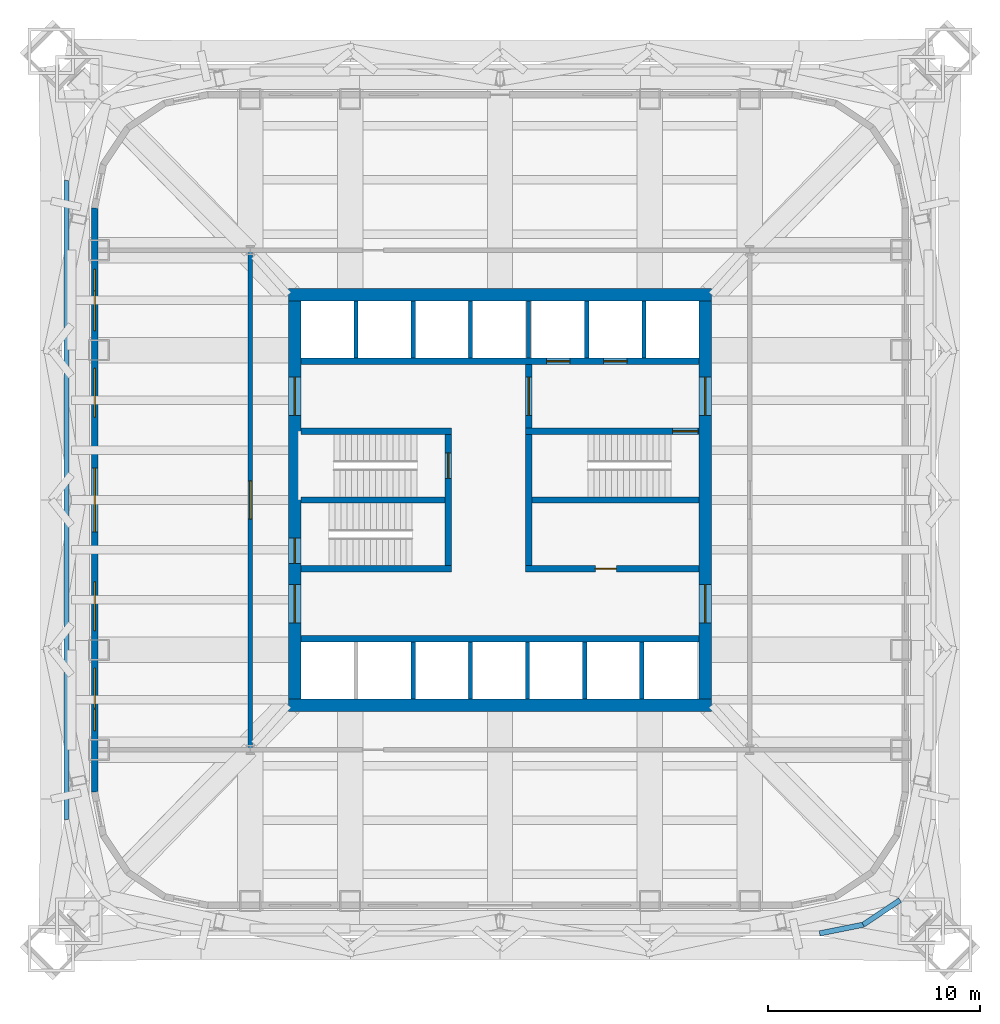
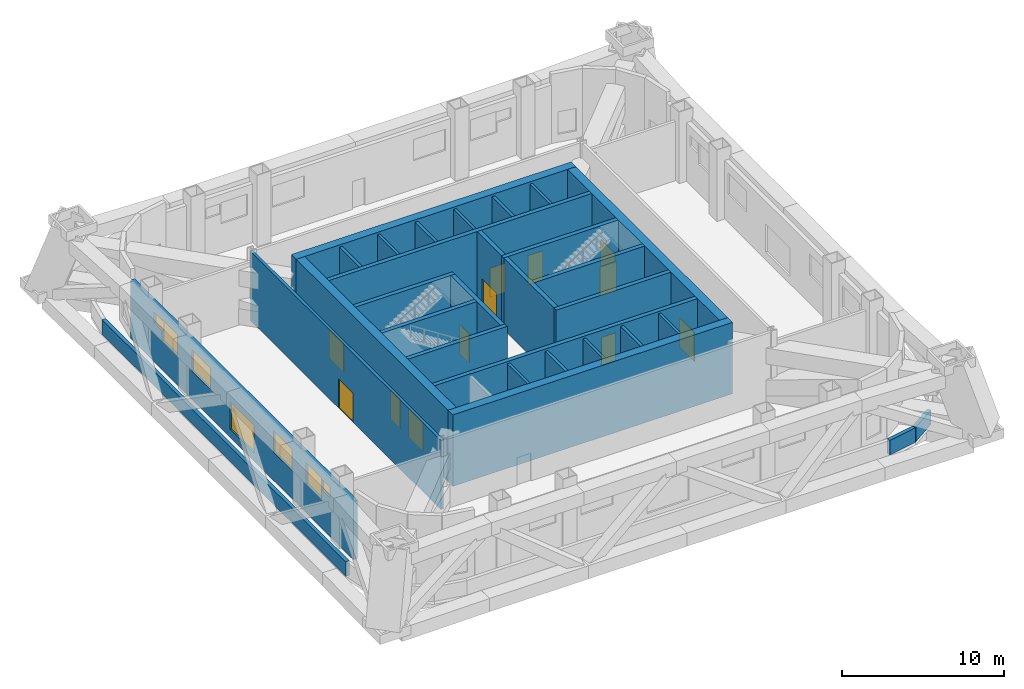
# One storey, part 5 of 9: 30 walls, 12 doors, 7 windows, 19 openings.
"""IFC4 building model written with IfcOpenShell, lengths in metres."""

from ifc_helpers import new_model, si_unit, direction, frame, frame_2d, origin, place, context, subcontext, project, spatial, rectangle, extrude, material, layer, layer_set, type_object, element, fill, save


model = new_model("IFC4")

# Units and contexts
model_context = context("Model", 3, precision=1e-05, world=origin(), true_north=direction((0.0, 1.0)))
body_context = subcontext(model_context, "Body", "Model", "MODEL_VIEW")
ifc_project = project(units=[si_unit("LENGTHUNIT", "METRE"), si_unit("AREAUNIT", "SQUARE_METRE"), si_unit("VOLUMEUNIT", "CUBIC_METRE"), si_unit("PLANEANGLEUNIT", "RADIAN"), si_unit("MASSUNIT", "GRAM", prefix="KILO")], contexts=[model_context])

# Site, building, storey
site_placement = place(None, origin())
site = spatial("IfcSite", under=ifc_project, at=site_placement, CompositionType="ELEMENT")
building_placement = place(site_placement, origin())
building = spatial("IfcBuilding", under=site, at=building_placement, Name="Turquesa Mirador Hotel Tower", CompositionType="ELEMENT")
storey_placement = place(building_placement, frame((0.0, 0.0, 156.39990234375)))
storey = spatial("IfcBuildingStorey", under=building, at=storey_placement, Name="L42", CompositionType="ELEMENT", Elevation=156.39990234375)

# Wall, openings, doors
ifc_material_1 = material(Name="Concrete C50/60", Category="concrete")
ifc_layer_1 = layer(ifc_material_1, 0.300048828125)
ifc_layer_set_1 = layer_set([ifc_layer_1], Name="CORE INNER WALL 300")
wall_type_1 = type_object("IfcWallType", Name="CORE INNER WALL 300", PredefinedType="SHEAR", material=ifc_layer_set_1)
wall_1_placement = place(storey_placement, frame((45.60009765625, 51.550048828125, 0.0), z_axis=(0.0, 0.0, 1.0), x_axis=(1.0, 0.0, 0.0)))
wall_1 = element("IfcWall", 1, at=wall_1_placement, inside=storey, type_object=wall_type_1, Name="Core wall NL", PredefinedType="SHEAR", context=body_context, shape_type="SweptSolid", body=[
    extrude(rectangle(XDim=18.7998046875, YDim=0.300048828125, at=frame_2d((9.39990234375, 0.0))), origin(), (0.0, 0.0, 1.0), 5.400146484375),
])
opening_1_placement = place(wall_1_placement, frame((11.60009765625, 0.0, 0.0)))
opening_1 = element("IfcOpeningElement", 2, at=opening_1_placement, cuts=wall_1, Name="Opening LD", PredefinedType="OPENING", context=body_context, shape_type="SweptSolid", body=[
    extrude(rectangle(XDim=1.10009765625, YDim=2.199951171875, at=frame_2d((0.550048828125, 1.10009765625))), frame((0.0, 0.159912109375, 0.0), z_axis=(0.0, -1.0, 0.0), x_axis=(1.0, 0.0, 0.0)), (0.0, 0.0, 1.0), 0.320068359375),
])
opening_2_placement = place(wall_1_placement, frame((14.300048828125, 0.0, 0.0)))
opening_2 = element("IfcOpeningElement", 3, at=opening_2_placement, cuts=wall_1, Name="Opening LD", PredefinedType="OPENING", context=body_context, shape_type="SweptSolid", body=[
    extrude(rectangle(XDim=1.10009765625, YDim=2.199951171875, at=frame_2d((0.550048828125, 1.10009765625))), frame((0.0, 0.159912109375, 0.0), z_axis=(0.0, -1.0, 0.0), x_axis=(1.0, 0.0, 0.0)), (0.0, 0.0, 1.0), 0.320068359375),
])
ifc_material_2 = material(Name="Stainless steel lift landing door", Category="steel")
door_type_1 = type_object("IfcDoorType", Name="LIFT LANDING DOOR 1100X2200", OperationType="SLIDING_TO_LEFT", PredefinedType="DOOR", material=ifc_material_2)
door_1_placement = place(opening_1_placement, origin())
door_1 = element("IfcDoor", 4, at=door_1_placement, inside=storey, type_object=door_type_1, Name="Lift S1 landing door", OperationType="SLIDING_TO_LEFT", OverallHeight=2.199951171875, OverallWidth=1.10009765625, PredefinedType="DOOR", context=body_context, shape_type="SweptSolid", body=[
    extrude(rectangle(XDim=1.10009765625, YDim=2.199951171875, at=frame_2d((0.550048828125, 1.10009765625))), frame((0.0, 0.02490234375, 0.0), z_axis=(0.0, -1.0, 0.0), x_axis=(1.0, 0.0, 0.0)), (0.0, 0.0, 1.0), 0.050048828125),
])
fill(opening_1, door_1)
door_2_placement = place(opening_2_placement, origin())
door_2 = element("IfcDoor", 5, at=door_2_placement, inside=storey, type_object=door_type_1, Name="Lift S2 landing door", OperationType="SLIDING_TO_LEFT", OverallHeight=2.199951171875, OverallWidth=1.10009765625, PredefinedType="DOOR", context=body_context, shape_type="SweptSolid", body=[
    extrude(rectangle(XDim=1.10009765625, YDim=2.199951171875, at=frame_2d((0.550048828125, 1.10009765625))), frame((0.0, 0.02490234375, 0.0), z_axis=(0.0, -1.0, 0.0), x_axis=(1.0, 0.0, 0.0)), (0.0, 0.0, 1.0), 0.050048828125),
])
fill(opening_2, door_2)

# Walls
wall_2_placement = place(storey_placement, frame((45.60009765625, 38.449951171875, 0.0), z_axis=(0.0, 0.0, 1.0), x_axis=(1.0, 0.0, 0.0)))
element("IfcWall", 6, at=wall_2_placement, inside=storey, type_object=wall_type_1, Name="Core wall SL", PredefinedType="SHEAR", context=body_context, shape_type="SweptSolid", body=[
    extrude(rectangle(XDim=18.7998046875, YDim=0.300048828125, at=frame_2d((9.39990234375, 0.0))), origin(), (0.0, 0.0, 1.0), 5.400146484375),
])
wall_3_placement = place(storey_placement, frame((45.60009765625, 48.25, 0.0), z_axis=(0.0, 0.0, 1.0), x_axis=(1.0, 0.0, 0.0)))
element("IfcWall", 7, at=wall_3_placement, inside=storey, type_object=wall_type_1, Name="Core wall MN-W", PredefinedType="SHEAR", context=body_context, shape_type="SweptSolid", body=[
    extrude(rectangle(XDim=7.099853515625, YDim=0.300048828125, at=frame_2d((3.5498046875, 0.0))), origin(), (0.0, 0.0, 1.0), 5.400146484375),
])

# Wall, opening, door
wall_4_placement = place(storey_placement, frame((56.199951171875, 48.25, 0.0), z_axis=(0.0, 0.0, 1.0), x_axis=(1.0, 0.0, 0.0)))
wall_4 = element("IfcWall", 8, at=wall_4_placement, inside=storey, type_object=wall_type_1, Name="Core wall MN-E", PredefinedType="SHEAR", context=body_context, shape_type="SweptSolid", body=[
    extrude(rectangle(XDim=8.199951171875, YDim=0.300048828125, at=frame_2d((4.10009765625, 0.0))), origin(), (0.0, 0.0, 1.0), 5.400146484375),
])
opening_3_placement = place(wall_4_placement, frame((6.949951171875, 0.0, 0.0)))
opening_3 = element("IfcOpeningElement", 9, at=opening_3_placement, cuts=wall_4, Name="Opening D03", PredefinedType="OPENING", context=body_context, shape_type="SweptSolid", body=[
    extrude(rectangle(XDim=1.199951171875, YDim=2.199951171875, at=frame_2d((0.60009765625, 1.10009765625))), frame((0.0, 0.159912109375, 0.0), z_axis=(0.0, -1.0, 0.0), x_axis=(1.0, 0.0, 0.0)), (0.0, 0.0, 1.0), 0.320068359375),
])
ifc_material_3 = material(Name="Steel fire door", Category="steel")
door_type_2 = type_object("IfcDoorType", Name="DOOR 1200X2200 STAIR", OperationType="SINGLE_SWING_LEFT", PredefinedType="DOOR", material=ifc_material_3)
door_3_placement = place(opening_3_placement, origin())
door_3 = element("IfcDoor", 10, at=door_3_placement, inside=storey, type_object=door_type_2, Name="Stair ST3 door", OperationType="SINGLE_SWING_LEFT", OverallHeight=2.199951171875, OverallWidth=1.199951171875, PredefinedType="DOOR", context=body_context, shape_type="SweptSolid", body=[
    extrude(rectangle(XDim=1.199951171875, YDim=2.199951171875, at=frame_2d((0.60009765625, 1.10009765625))), frame((0.0, 0.02490234375, 0.0), z_axis=(0.0, -1.0, 0.0), x_axis=(1.0, 0.0, 0.0)), (0.0, 0.0, 1.0), 0.050048828125),
])
fill(opening_3, door_3)

# Wall
wall_5_placement = place(storey_placement, frame((45.60009765625, 41.75, 0.0), z_axis=(0.0, 0.0, 1.0), x_axis=(1.0, 0.0, 0.0)))
element("IfcWall", 11, at=wall_5_placement, inside=storey, type_object=wall_type_1, Name="Core wall MS-W", PredefinedType="SHEAR", context=body_context, shape_type="SweptSolid", body=[
    extrude(rectangle(XDim=7.099853515625, YDim=0.300048828125, at=frame_2d((3.5498046875, 0.0))), origin(), (0.0, 0.0, 1.0), 5.400146484375),
])

# Wall, opening, door
wall_6_placement = place(storey_placement, frame((56.199951171875, 41.75, 0.0), z_axis=(0.0, 0.0, 1.0), x_axis=(1.0, 0.0, 0.0)))
wall_6 = element("IfcWall", 12, at=wall_6_placement, inside=storey, type_object=wall_type_1, Name="Core wall MS-E", PredefinedType="SHEAR", context=body_context, shape_type="SweptSolid", body=[
    extrude(rectangle(XDim=8.199951171875, YDim=0.300048828125, at=frame_2d((4.10009765625, 0.0))), origin(), (0.0, 0.0, 1.0), 5.400146484375),
])
opening_4_placement = place(wall_6_placement, frame((3.300048828125, 0.0, 0.0)))
opening_4 = element("IfcOpeningElement", 13, at=opening_4_placement, cuts=wall_6, Name="Opening D05", PredefinedType="OPENING", context=body_context, shape_type="SweptSolid", body=[
    extrude(rectangle(XDim=1.0, YDim=2.10009765625, at=frame_2d((0.5, 1.050048828125))), frame((0.0, 0.159912109375, 0.0), z_axis=(0.0, -1.0, 0.0), x_axis=(1.0, 0.0, 0.0)), (0.0, 0.0, 1.0), 0.320068359375),
])
ifc_material_4 = material(Name="Steel fire door", Category="steel")
door_type_3 = type_object("IfcDoorType", Name="DOOR 1000X2100 SERVICE", OperationType="SINGLE_SWING_LEFT", PredefinedType="DOOR", material=ifc_material_4)
door_4_placement = place(opening_4_placement, origin())
door_4 = element("IfcDoor", 14, at=door_4_placement, inside=storey, type_object=door_type_3, Name="Housekeeping room door", OperationType="SINGLE_SWING_LEFT", OverallHeight=2.10009765625, OverallWidth=1.0, PredefinedType="DOOR", context=body_context, shape_type="SweptSolid", body=[
    extrude(rectangle(XDim=1.0, YDim=2.10009765625, at=frame_2d((0.5, 1.050048828125))), frame((0.0, 0.02490234375, 0.0), z_axis=(0.0, -1.0, 0.0), x_axis=(1.0, 0.0, 0.0)), (0.0, 0.0, 1.0), 0.050048828125),
])
fill(opening_4, door_4)

wall_7_placement = place(storey_placement, frame((52.550048828125, 41.89990234375, 0.0), z_axis=(0.0, 0.0, 1.0), x_axis=(0.0, 1.0, 0.0)))
wall_7 = element("IfcWall", 15, at=wall_7_placement, inside=storey, type_object=wall_type_1, Name="Core wall PW", PredefinedType="SHEAR", context=body_context, shape_type="SweptSolid", body=[
    extrude(rectangle(XDim=6.2001953125, YDim=0.300048828125, at=frame_2d((3.10009765625, 0.0))), origin(), (0.0, 0.0, 1.0), 5.400146484375),
])
opening_5_placement = place(wall_7_placement, frame((4.125, 0.0, 0.0)))
opening_5 = element("IfcOpeningElement", 16, at=opening_5_placement, cuts=wall_7, Name="Opening D03", PredefinedType="OPENING", context=body_context, shape_type="SweptSolid", body=[
    extrude(rectangle(XDim=1.199951171875, YDim=2.199951171875, at=frame_2d((0.60009765625, 1.10009765625))), frame((0.0, 0.159912109375, 0.0), z_axis=(0.0, -1.0, 0.0), x_axis=(1.0, 0.0, 0.0)), (0.0, 0.0, 1.0), 0.320068359375),
])
door_5_placement = place(opening_5_placement, origin())
door_5 = element("IfcDoor", 17, at=door_5_placement, inside=storey, type_object=door_type_2, Name="Stair ST1 door", OperationType="SINGLE_SWING_LEFT", OverallHeight=2.199951171875, OverallWidth=1.199951171875, PredefinedType="DOOR", context=body_context, shape_type="SweptSolid", body=[
    extrude(rectangle(XDim=1.199951171875, YDim=2.199951171875, at=frame_2d((0.60009765625, 1.10009765625))), frame((0.0, 0.02490234375, 0.0), z_axis=(0.0, -1.0, 0.0), x_axis=(1.0, 0.0, 0.0)), (0.0, 0.0, 1.0), 0.050048828125),
])
fill(opening_5, door_5)

wall_8_placement = place(storey_placement, frame((56.35009765625, 41.89990234375, 0.0), z_axis=(0.0, 0.0, 1.0), x_axis=(0.0, 1.0, 0.0)))
wall_8 = element("IfcWall", 18, at=wall_8_placement, inside=storey, type_object=wall_type_1, Name="Core wall PE", PredefinedType="SHEAR", context=body_context, shape_type="SweptSolid", body=[
    extrude(rectangle(XDim=9.5, YDim=0.300048828125, at=frame_2d((4.75, 0.0))), origin(), (0.0, 0.0, 1.0), 5.400146484375),
])
opening_6_placement = place(wall_8_placement, frame((7.10009765625, 0.0, 0.0)))
opening_6 = element("IfcOpeningElement", 19, at=opening_6_placement, cuts=wall_8, Name="Opening D04", PredefinedType="OPENING", context=body_context, shape_type="SweptSolid", body=[
    extrude(rectangle(XDim=1.800048828125, YDim=2.199951171875, at=frame_2d((0.89990234375, 1.10009765625))), frame((0.0, 0.159912109375, 0.0), z_axis=(0.0, -1.0, 0.0), x_axis=(1.0, 0.0, 0.0)), (0.0, 0.0, 1.0), 0.320068359375),
])
ifc_material_5 = material(Name="Steel fire door pair", Category="steel")
door_type_4 = type_object("IfcDoorType", Name="DOOR 1800X2200 PAIR", OperationType="DOUBLE_DOOR_SINGLE_SWING", PredefinedType="DOOR", material=ifc_material_5)
door_6_placement = place(opening_6_placement, origin())
door_6 = element("IfcDoor", 20, at=door_6_placement, inside=storey, type_object=door_type_4, Name="Firefighting lobby inner door", OperationType="DOUBLE_DOOR_SINGLE_SWING", OverallHeight=2.199951171875, OverallWidth=1.800048828125, PredefinedType="DOOR", context=body_context, shape_type="SweptSolid", body=[
    extrude(rectangle(XDim=1.800048828125, YDim=2.199951171875, at=frame_2d((0.89990234375, 1.10009765625))), frame((0.0, 0.02490234375, 0.0), z_axis=(0.0, -1.0, 0.0), x_axis=(1.0, 0.0, 0.0)), (0.0, 0.0, 1.0), 0.050048828125),
])
fill(opening_6, door_6)

# Walls
wall_9_placement = place(storey_placement, frame((45.60009765625, 45.0, 0.0), z_axis=(0.0, 0.0, 1.0), x_axis=(1.0, 0.0, 0.0)))
element("IfcWall", 21, at=wall_9_placement, inside=storey, type_object=wall_type_1, Name="Core wall M0-W", PredefinedType="SHEAR", context=body_context, shape_type="SweptSolid", body=[
    extrude(rectangle(XDim=6.7998046875, YDim=0.300048828125, at=frame_2d((3.39990234375, 0.0))), origin(), (0.0, 0.0, 1.0), 5.400146484375),
])
wall_10_placement = place(storey_placement, frame((56.5, 45.0, 0.0), z_axis=(0.0, 0.0, 1.0), x_axis=(1.0, 0.0, 0.0)))
element("IfcWall", 22, at=wall_10_placement, inside=storey, type_object=wall_type_1, Name="Core wall M0-E", PredefinedType="SHEAR", context=body_context, shape_type="SweptSolid", body=[
    extrude(rectangle(XDim=7.89990234375, YDim=0.300048828125, at=frame_2d((3.949951171875, 0.0))), origin(), (0.0, 0.0, 1.0), 5.400146484375),
])
ifc_material_6 = material(Name="Concrete C50/60", Category="concrete")
ifc_layer_2 = layer(ifc_material_6, 0.60009765625)
ifc_layer_set_2 = layer_set([ifc_layer_2], Name="CORE WALL 600")
wall_type_2 = type_object("IfcWallType", Name="CORE WALL 600", PredefinedType="SHEAR", material=ifc_layer_set_2)
for number, where, z_axis, x_axis, name in (
    (23, (45.0, 54.699951171875, 0.0), (0.0, 0.0, 1.0), (1.0, 0.0, 0.0), "Core wall N"),
    (24, (45.0, 35.300048828125, 0.0), (0.0, 0.0, 1.0), (1.0, 0.0, 0.0), "Core wall S"),
):
    element("IfcWall", number, at=place(storey_placement, frame(where, z_axis=z_axis, x_axis=x_axis)), inside=storey, type_object=wall_type_2, Name=name, PredefinedType="SHEAR", context=body_context, shape_type="SweptSolid", body=[
        extrude(rectangle(XDim=20.0, YDim=0.60009765625, at=frame_2d((10.0, 0.0))), origin(), (0.0, 0.0, 1.0), 5.400146484375),
    ])

# Wall, openings, doors
wall_11_placement = place(storey_placement, frame((64.699951171875, 35.60009765625, 0.0), z_axis=(0.0, 0.0, 1.0), x_axis=(0.0, 1.0, 0.0)))
wall_11 = element("IfcWall", 25, at=wall_11_placement, inside=storey, type_object=wall_type_2, Name="Core wall E", PredefinedType="SHEAR", context=body_context, shape_type="SweptSolid", body=[
    extrude(rectangle(XDim=18.7998046875, YDim=0.60009765625, at=frame_2d((9.39990234375, 0.0))), origin(), (0.0, 0.0, 1.0), 5.400146484375),
])
opening_7_placement = place(wall_11_placement, frame((13.39990234375, 0.0, 0.0)))
opening_7 = element("IfcOpeningElement", 26, at=opening_7_placement, cuts=wall_11, Name="Opening D04", PredefinedType="OPENING", context=body_context, shape_type="SweptSolid", body=[
    extrude(rectangle(XDim=1.800048828125, YDim=2.199951171875, at=frame_2d((0.89990234375, 1.10009765625))), frame((0.0, 0.31005859375, 0.0), z_axis=(0.0, -1.0, 0.0), x_axis=(1.0, 0.0, 0.0)), (0.0, 0.0, 1.0), 0.6201171875),
])
opening_8_placement = place(wall_11_placement, frame((3.60009765625, 0.0, 0.0)))
opening_8 = element("IfcOpeningElement", 27, at=opening_8_placement, cuts=wall_11, Name="Opening D04", PredefinedType="OPENING", context=body_context, shape_type="SweptSolid", body=[
    extrude(rectangle(XDim=1.800048828125, YDim=2.199951171875, at=frame_2d((0.89990234375, 1.10009765625))), frame((0.0, 0.31005859375, 0.0), z_axis=(0.0, -1.0, 0.0), x_axis=(1.0, 0.0, 0.0)), (0.0, 0.0, 1.0), 0.6201171875),
])
door_7_placement = place(opening_7_placement, origin())
door_7 = element("IfcDoor", 28, at=door_7_placement, inside=storey, type_object=door_type_4, Name="Firefighting lobby door", OperationType="DOUBLE_DOOR_SINGLE_SWING", OverallHeight=2.199951171875, OverallWidth=1.800048828125, PredefinedType="DOOR", context=body_context, shape_type="SweptSolid", body=[
    extrude(rectangle(XDim=1.800048828125, YDim=2.199951171875, at=frame_2d((0.89990234375, 1.10009765625))), frame((0.0, 0.02490234375, 0.0), z_axis=(0.0, -1.0, 0.0), x_axis=(1.0, 0.0, 0.0)), (0.0, 0.0, 1.0), 0.050048828125),
])
fill(opening_7, door_7)
door_8_placement = place(opening_8_placement, origin())
door_8 = element("IfcDoor", 29, at=door_8_placement, inside=storey, type_object=door_type_4, Name="South lift lobby door", OperationType="DOUBLE_DOOR_SINGLE_SWING", OverallHeight=2.199951171875, OverallWidth=1.800048828125, PredefinedType="DOOR", context=body_context, shape_type="SweptSolid", body=[
    extrude(rectangle(XDim=1.800048828125, YDim=2.199951171875, at=frame_2d((0.89990234375, 1.10009765625))), frame((0.0, 0.02490234375, 0.0), z_axis=(0.0, -1.0, 0.0), x_axis=(1.0, 0.0, 0.0)), (0.0, 0.0, 1.0), 0.050048828125),
])
fill(opening_8, door_8)

wall_12_placement = place(storey_placement, frame((45.300048828125, 35.60009765625, 0.0), z_axis=(0.0, 0.0, 1.0), x_axis=(0.0, 1.0, 0.0)))
wall_12 = element("IfcWall", 30, at=wall_12_placement, inside=storey, type_object=wall_type_2, Name="Core wall W", PredefinedType="SHEAR", context=body_context, shape_type="SweptSolid", body=[
    extrude(rectangle(XDim=18.7998046875, YDim=0.60009765625, at=frame_2d((9.39990234375, 0.0))), origin(), (0.0, 0.0, 1.0), 5.400146484375),
])
opening_9_placement = place(wall_12_placement, frame((13.39990234375, 0.0, 0.0)))
opening_9 = element("IfcOpeningElement", 31, at=opening_9_placement, cuts=wall_12, Name="Opening D04", PredefinedType="OPENING", context=body_context, shape_type="SweptSolid", body=[
    extrude(rectangle(XDim=1.800048828125, YDim=2.199951171875, at=frame_2d((0.89990234375, 1.10009765625))), frame((0.0, 0.31005859375, 0.0), z_axis=(0.0, -1.0, 0.0), x_axis=(1.0, 0.0, 0.0)), (0.0, 0.0, 1.0), 0.6201171875),
])
opening_10_placement = place(wall_12_placement, frame((3.60009765625, 0.0, 0.0)))
opening_10 = element("IfcOpeningElement", 32, at=opening_10_placement, cuts=wall_12, Name="Opening D04", PredefinedType="OPENING", context=body_context, shape_type="SweptSolid", body=[
    extrude(rectangle(XDim=1.800048828125, YDim=2.199951171875, at=frame_2d((0.89990234375, 1.10009765625))), frame((0.0, 0.31005859375, 0.0), z_axis=(0.0, -1.0, 0.0), x_axis=(1.0, 0.0, 0.0)), (0.0, 0.0, 1.0), 0.6201171875),
])
opening_11_placement = place(wall_12_placement, frame((6.39990234375, 0.0, 0.0)))
opening_11 = element("IfcOpeningElement", 33, at=opening_11_placement, cuts=wall_12, Name="Opening D03", PredefinedType="OPENING", context=body_context, shape_type="SweptSolid", body=[
    extrude(rectangle(XDim=1.199951171875, YDim=2.199951171875, at=frame_2d((0.60009765625, 1.10009765625))), frame((0.0, 0.31005859375, 0.0), z_axis=(0.0, -1.0, 0.0), x_axis=(1.0, 0.0, 0.0)), (0.0, 0.0, 1.0), 0.6201171875),
])
door_9_placement = place(opening_11_placement, origin())
door_9 = element("IfcDoor", 34, at=door_9_placement, inside=storey, type_object=door_type_2, Name="Stair ST2 door", OperationType="SINGLE_SWING_LEFT", OverallHeight=2.199951171875, OverallWidth=1.199951171875, PredefinedType="DOOR", context=body_context, shape_type="SweptSolid", body=[
    extrude(rectangle(XDim=1.199951171875, YDim=2.199951171875, at=frame_2d((0.60009765625, 1.10009765625))), frame((0.0, 0.02490234375, 0.0), z_axis=(0.0, -1.0, 0.0), x_axis=(1.0, 0.0, 0.0)), (0.0, 0.0, 1.0), 0.050048828125),
])
fill(opening_11, door_9)
door_10_placement = place(opening_9_placement, origin())
door_10 = element("IfcDoor", 35, at=door_10_placement, inside=storey, type_object=door_type_4, Name="North lift lobby door", OperationType="DOUBLE_DOOR_SINGLE_SWING", OverallHeight=2.199951171875, OverallWidth=1.800048828125, PredefinedType="DOOR", context=body_context, shape_type="SweptSolid", body=[
    extrude(rectangle(XDim=1.800048828125, YDim=2.199951171875, at=frame_2d((0.89990234375, 1.10009765625))), frame((0.0, 0.02490234375, 0.0), z_axis=(0.0, -1.0, 0.0), x_axis=(1.0, 0.0, 0.0)), (0.0, 0.0, 1.0), 0.050048828125),
])
fill(opening_9, door_10)
door_11_placement = place(opening_10_placement, origin())
door_11 = element("IfcDoor", 36, at=door_11_placement, inside=storey, type_object=door_type_4, Name="South lift lobby door", OperationType="DOUBLE_DOOR_SINGLE_SWING", OverallHeight=2.199951171875, OverallWidth=1.800048828125, PredefinedType="DOOR", context=body_context, shape_type="SweptSolid", body=[
    extrude(rectangle(XDim=1.800048828125, YDim=2.199951171875, at=frame_2d((0.89990234375, 1.10009765625))), frame((0.0, 0.02490234375, 0.0), z_axis=(0.0, -1.0, 0.0), x_axis=(1.0, 0.0, 0.0)), (0.0, 0.0, 1.0), 0.050048828125),
])
fill(opening_10, door_11)

# Wall, opening, door
ifc_material_7 = material(Name="Fire-rated gypsum board on steel studs", Category="steel")
ifc_layer_3 = layer(ifc_material_7, 0.199951171875)
ifc_layer_set_3 = layer_set([ifc_layer_3], Name="CORRIDOR WALL 200")
wall_type_3 = type_object("IfcWallType", Name="CORRIDOR WALL 200", PredefinedType="PARTITIONING", material=ifc_layer_set_3)
wall_13_placement = place(storey_placement, frame((43.199951171875, 33.199951171875, 0.0), z_axis=(0.0, 0.0, 1.0), x_axis=(0.0, 1.0, 0.0)))
wall_13 = element("IfcWall", 37, at=wall_13_placement, inside=storey, type_object=wall_type_3, Name="Partition L42 007", PredefinedType="PARTITIONING", context=body_context, shape_type="SweptSolid", body=[
    extrude(rectangle(XDim=23.60009765625, YDim=0.199951171875, at=frame_2d((11.800048828125, 0.0))), origin(), (0.0, 0.0, 1.0), 5.22998046875),
])
opening_12_placement = place(wall_13_placement, frame((10.89990234375, 0.0, 0.0)))
opening_12 = element("IfcOpeningElement", 38, at=opening_12_placement, cuts=wall_13, Name="Opening D04", PredefinedType="OPENING", context=body_context, shape_type="SweptSolid", body=[
    extrude(rectangle(XDim=1.800048828125, YDim=2.199951171875, at=frame_2d((0.89990234375, 1.10009765625))), frame((0.0, 0.10986328125, 0.0), z_axis=(0.0, -1.0, 0.0), x_axis=(1.0, 0.0, 0.0)), (0.0, 0.0, 1.0), 0.219970703125),
])
door_12_placement = place(opening_12_placement, origin())
door_12 = element("IfcDoor", 39, at=door_12_placement, inside=storey, type_object=door_type_4, Name="Door L42-04", OperationType="DOUBLE_DOOR_SINGLE_SWING", OverallHeight=2.199951171875, OverallWidth=1.800048828125, PredefinedType="DOOR", context=body_context, shape_type="SweptSolid", body=[
    extrude(rectangle(XDim=1.800048828125, YDim=2.199951171875, at=frame_2d((0.89990234375, 1.10009765625))), frame((0.0, 0.02490234375, 0.0), z_axis=(0.0, -1.0, 0.0), x_axis=(1.0, 0.0, 0.0)), (0.0, 0.0, 1.0), 0.050048828125),
])
fill(opening_12, door_12)

# Walls
ifc_material_8 = material(Name="Fire-rated gypsum shaft wall on steel studs", Category="steel")
ifc_layer_4 = layer(ifc_material_8, 0.199951171875)
ifc_layer_set_4 = layer_set([ifc_layer_4], Name="LIFT SHAFT DIVIDER 200")
wall_type_4 = type_object("IfcWallType", Name="LIFT SHAFT DIVIDER 200", PredefinedType="PARTITIONING", material=ifc_layer_set_4)
for number, where, z_axis, x_axis, name in (
    (40, (48.199951171875, 51.699951171875, 0.0), (0.0, 0.0, 1.0), (0.0, 1.0, 0.0), "Lift shaft divider"),
    (41, (50.89990234375, 51.699951171875, 0.0), (0.0, 0.0, 1.0), (0.0, 1.0, 0.0), "Lift shaft divider"),
    (42, (53.60009765625, 51.699951171875, 0.0), (0.0, 0.0, 1.0), (0.0, 1.0, 0.0), "Lift shaft divider"),
    (43, (59.10009765625, 51.699951171875, 0.0), (0.0, 0.0, 1.0), (0.0, 1.0, 0.0), "Lift shaft divider"),
    (44, (61.800048828125, 51.699951171875, 0.0), (0.0, 0.0, 1.0), (0.0, 1.0, 0.0), "Lift shaft divider"),
    (45, (56.35009765625, 51.699951171875, 0.0), (0.0, 0.0, 1.0), (0.0, 1.0, 0.0), "Lift shaft divider"),
    (46, (50.89990234375, 35.60009765625, 0.0), (0.0, 0.0, 1.0), (0.0, 1.0, 0.0), "Lift shaft divider"),
    (47, (53.60009765625, 35.60009765625, 0.0), (0.0, 0.0, 1.0), (0.0, 1.0, 0.0), "Lift shaft divider"),
    (48, (56.300048828125, 35.60009765625, 0.0), (0.0, 0.0, 1.0), (0.0, 1.0, 0.0), "Lift shaft divider"),
    (49, (59.0, 35.60009765625, 0.0), (0.0, 0.0, 1.0), (0.0, 1.0, 0.0), "Lift shaft divider"),
    (50, (61.699951171875, 35.60009765625, 0.0), (0.0, 0.0, 1.0), (0.0, 1.0, 0.0), "Lift shaft divider"),
):
    element("IfcWall", number, at=place(storey_placement, frame(where, z_axis=z_axis, x_axis=x_axis)), inside=storey, type_object=wall_type_4, Name=name, PredefinedType="PARTITIONING", context=body_context, shape_type="SweptSolid", body=[
        extrude(rectangle(XDim=2.699951171875, YDim=0.199951171875, at=frame_2d((1.35009765625, 0.0))), origin(), (0.0, 0.0, 1.0), 5.22998046875),
    ])

# Wall, openings, windows
ifc_material_9 = material(Name="Limestone cladding on concrete block", Category="masonry")
ifc_layer_5 = layer(ifc_material_9, 0.300048828125)
ifc_layer_set_5 = layer_set([ifc_layer_5], Name="LOUVRE WALL 300 STONE")
wall_type_5 = type_object("IfcWallType", Name="LOUVRE WALL 300 STONE", PredefinedType="SOLIDWALL", material=ifc_layer_set_5)
wall_14_placement = place(storey_placement, frame((35.85009765625, 58.800048828125, 0.0), z_axis=(0.0, 0.0, 1.0), x_axis=(0.0, -1.0, 0.0)))
wall_14 = element("IfcWall", 51, at=wall_14_placement, inside=storey, type_object=wall_type_5, Name="Facade wall L42 14", PredefinedType="SOLIDWALL", context=body_context, shape_type="SweptSolid", body=[
    extrude(rectangle(XDim=27.60009765625, YDim=0.300048828125, at=frame_2d((13.800048828125, 0.0))), origin(), (0.0, 0.0, 1.0), 4.43017578125),
])
opening_13_placement = place(wall_14_placement, frame((3.909912109375, 0.0, 2.199951171875)))
opening_13 = element("IfcOpeningElement", 52, at=opening_13_placement, cuts=wall_14, Name="Opening LV11", PredefinedType="OPENING", context=body_context, shape_type="SweptSolid", body=[
    extrude(rectangle(XDim=1.89990234375, YDim=1.60009765625, at=frame_2d((0.949951171875, 0.800048828125))), frame((0.0, 0.159912109375, 0.0), z_axis=(0.0, -1.0, 0.0), x_axis=(1.0, 0.0, 0.0)), (0.0, 0.0, 1.0), 0.320068359375),
])
opening_14_placement = place(wall_14_placement, frame((7.580078125, 0.0, 2.14990234375)))
opening_14 = element("IfcOpeningElement", 53, at=opening_14_placement, cuts=wall_14, Name="Opening LV13", PredefinedType="OPENING", context=body_context, shape_type="SweptSolid", body=[
    extrude(rectangle(XDim=2.300048828125, YDim=1.60009765625, at=frame_2d((1.14990234375, 0.800048828125))), frame((0.0, 0.159912109375, 0.0), z_axis=(0.0, -1.0, 0.0), x_axis=(1.0, 0.0, 0.0)), (0.0, 0.0, 1.0), 0.320068359375),
])
opening_15_placement = place(wall_14_placement, frame((12.300048828125, 0.0, 0.60009765625)))
opening_15 = element("IfcOpeningElement", 54, at=opening_15_placement, cuts=wall_14, Name="Opening LV17", PredefinedType="OPENING", context=body_context, shape_type="SweptSolid", body=[
    extrude(rectangle(XDim=3.0, YDim=2.10009765625, at=frame_2d((1.5, 1.050048828125))), frame((0.0, 0.159912109375, 0.0), z_axis=(0.0, -1.0, 0.0), x_axis=(1.0, 0.0, 0.0)), (0.0, 0.0, 1.0), 0.320068359375),
])
opening_16_placement = place(wall_14_placement, frame((17.669921875, 0.0, 2.14990234375)))
opening_16 = element("IfcOpeningElement", 55, at=opening_16_placement, cuts=wall_14, Name="Opening LV13", PredefinedType="OPENING", context=body_context, shape_type="SweptSolid", body=[
    extrude(rectangle(XDim=2.300048828125, YDim=1.60009765625, at=frame_2d((1.14990234375, 0.800048828125))), frame((0.0, 0.159912109375, 0.0), z_axis=(0.0, -1.0, 0.0), x_axis=(1.0, 0.0, 0.0)), (0.0, 0.0, 1.0), 0.320068359375),
])
opening_17_placement = place(wall_14_placement, frame((21.739990234375, 0.0, 2.199951171875)))
opening_17 = element("IfcOpeningElement", 56, at=opening_17_placement, cuts=wall_14, Name="Opening LV11", PredefinedType="OPENING", context=body_context, shape_type="SweptSolid", body=[
    extrude(rectangle(XDim=1.89990234375, YDim=1.60009765625, at=frame_2d((0.949951171875, 0.800048828125))), frame((0.0, 0.159912109375, 0.0), z_axis=(0.0, -1.0, 0.0), x_axis=(1.0, 0.0, 0.0)), (0.0, 0.0, 1.0), 0.320068359375),
])
opening_18_placement = place(wall_14_placement, frame((2.909912109375, 0.0, 2.949951171875)))
opening_18 = element("IfcOpeningElement", 57, at=opening_18_placement, cuts=wall_14, Name="Opening LV4", PredefinedType="OPENING", context=body_context, shape_type="SweptSolid", body=[
    extrude(rectangle(XDim=1.0, YDim=0.800048828125, at=frame_2d((0.5, 0.39990234375))), frame((0.0, 0.159912109375, 0.0), z_axis=(0.0, -1.0, 0.0), x_axis=(1.0, 0.0, 0.0)), (0.0, 0.0, 1.0), 0.320068359375),
])
opening_19_placement = place(wall_14_placement, frame((23.68994140625, 0.0, 2.949951171875)))
opening_19 = element("IfcOpeningElement", 58, at=opening_19_placement, cuts=wall_14, Name="Opening LV4", PredefinedType="OPENING", context=body_context, shape_type="SweptSolid", body=[
    extrude(rectangle(XDim=1.0, YDim=0.800048828125, at=frame_2d((0.5, 0.39990234375))), frame((0.0, 0.159912109375, 0.0), z_axis=(0.0, -1.0, 0.0), x_axis=(1.0, 0.0, 0.0)), (0.0, 0.0, 1.0), 0.320068359375),
])
ifc_material_10 = material(Name="Aluminium extrusion", Category="aluminium")
window_type_1 = type_object("IfcWindowType", Name="PLANT LOUVRE 1000X800", PartitioningType="SINGLE_PANEL", PredefinedType="USERDEFINED", material=ifc_material_10)
window_1_placement = place(opening_18_placement, origin())
window_1 = element("IfcWindow", 59, at=window_1_placement, inside=storey, type_object=window_type_1, Name="Window L42", ObjectType="LOUVRE", OverallHeight=0.800048828125, OverallWidth=1.0, PartitioningType="SINGLE_PANEL", PredefinedType="USERDEFINED", context=body_context, shape_type="SweptSolid", body=[
    extrude(rectangle(XDim=1.0, YDim=0.800048828125, at=frame_2d((0.5, 0.39990234375))), frame((0.0, 0.030029296875, 0.0), z_axis=(0.0, -1.0, 0.0), x_axis=(1.0, 0.0, 0.0)), (0.0, 0.0, 1.0), 0.06005859375),
])
fill(opening_18, window_1)
window_2_placement = place(opening_19_placement, origin())
window_2 = element("IfcWindow", 60, at=window_2_placement, inside=storey, type_object=window_type_1, Name="Window L42", ObjectType="LOUVRE", OverallHeight=0.800048828125, OverallWidth=1.0, PartitioningType="SINGLE_PANEL", PredefinedType="USERDEFINED", context=body_context, shape_type="SweptSolid", body=[
    extrude(rectangle(XDim=1.0, YDim=0.800048828125, at=frame_2d((0.5, 0.39990234375))), frame((0.0, 0.030029296875, 0.0), z_axis=(0.0, -1.0, 0.0), x_axis=(1.0, 0.0, 0.0)), (0.0, 0.0, 1.0), 0.06005859375),
])
fill(opening_19, window_2)
ifc_material_11 = material(Name="Aluminium extrusion", Category="aluminium")
window_type_2 = type_object("IfcWindowType", Name="PLANT LOUVRE 1900X1600", PartitioningType="SINGLE_PANEL", PredefinedType="USERDEFINED", material=ifc_material_11)
window_3_placement = place(opening_13_placement, origin())
window_3 = element("IfcWindow", 61, at=window_3_placement, inside=storey, type_object=window_type_2, Name="Window L42", ObjectType="LOUVRE", OverallHeight=1.60009765625, OverallWidth=1.89990234375, PartitioningType="SINGLE_PANEL", PredefinedType="USERDEFINED", context=body_context, shape_type="SweptSolid", body=[
    extrude(rectangle(XDim=1.89990234375, YDim=1.60009765625, at=frame_2d((0.949951171875, 0.800048828125))), frame((0.0, 0.030029296875, 0.0), z_axis=(0.0, -1.0, 0.0), x_axis=(1.0, 0.0, 0.0)), (0.0, 0.0, 1.0), 0.06005859375),
])
fill(opening_13, window_3)
window_4_placement = place(opening_17_placement, origin())
window_4 = element("IfcWindow", 62, at=window_4_placement, inside=storey, type_object=window_type_2, Name="Window L42", ObjectType="LOUVRE", OverallHeight=1.60009765625, OverallWidth=1.89990234375, PartitioningType="SINGLE_PANEL", PredefinedType="USERDEFINED", context=body_context, shape_type="SweptSolid", body=[
    extrude(rectangle(XDim=1.89990234375, YDim=1.60009765625, at=frame_2d((0.949951171875, 0.800048828125))), frame((0.0, 0.030029296875, 0.0), z_axis=(0.0, -1.0, 0.0), x_axis=(1.0, 0.0, 0.0)), (0.0, 0.0, 1.0), 0.06005859375),
])
fill(opening_17, window_4)
ifc_material_12 = material(Name="Aluminium extrusion", Category="aluminium")
window_type_3 = type_object("IfcWindowType", Name="PLANT LOUVRE 2300X1600", PartitioningType="SINGLE_PANEL", PredefinedType="USERDEFINED", material=ifc_material_12)
window_5_placement = place(opening_14_placement, origin())
window_5 = element("IfcWindow", 63, at=window_5_placement, inside=storey, type_object=window_type_3, Name="Window L42", ObjectType="LOUVRE", OverallHeight=1.60009765625, OverallWidth=2.300048828125, PartitioningType="SINGLE_PANEL", PredefinedType="USERDEFINED", context=body_context, shape_type="SweptSolid", body=[
    extrude(rectangle(XDim=2.300048828125, YDim=1.60009765625, at=frame_2d((1.14990234375, 0.800048828125))), frame((0.0, 0.030029296875, 0.0), z_axis=(0.0, -1.0, 0.0), x_axis=(1.0, 0.0, 0.0)), (0.0, 0.0, 1.0), 0.06005859375),
])
fill(opening_14, window_5)
window_6_placement = place(opening_16_placement, origin())
window_6 = element("IfcWindow", 64, at=window_6_placement, inside=storey, type_object=window_type_3, Name="Window L42", ObjectType="LOUVRE", OverallHeight=1.60009765625, OverallWidth=2.300048828125, PartitioningType="SINGLE_PANEL", PredefinedType="USERDEFINED", context=body_context, shape_type="SweptSolid", body=[
    extrude(rectangle(XDim=2.300048828125, YDim=1.60009765625, at=frame_2d((1.14990234375, 0.800048828125))), frame((0.0, 0.030029296875, 0.0), z_axis=(0.0, -1.0, 0.0), x_axis=(1.0, 0.0, 0.0)), (0.0, 0.0, 1.0), 0.06005859375),
])
fill(opening_16, window_6)
ifc_material_13 = material(Name="Aluminium extrusion", Category="aluminium")
window_type_4 = type_object("IfcWindowType", Name="PLANT LOUVRE 3000X2100", PartitioningType="SINGLE_PANEL", PredefinedType="USERDEFINED", material=ifc_material_13)
window_7_placement = place(opening_15_placement, origin())
window_7 = element("IfcWindow", 65, at=window_7_placement, inside=storey, type_object=window_type_4, Name="Window L42", ObjectType="LOUVRE", OverallHeight=2.10009765625, OverallWidth=3.0, PartitioningType="SINGLE_PANEL", PredefinedType="USERDEFINED", context=body_context, shape_type="SweptSolid", body=[
    extrude(rectangle(XDim=3.0, YDim=2.10009765625, at=frame_2d((1.5, 1.050048828125))), frame((0.0, 0.030029296875, 0.0), z_axis=(0.0, -1.0, 0.0), x_axis=(1.0, 0.0, 0.0)), (0.0, 0.0, 1.0), 0.06005859375),
])
fill(opening_15, window_7)

# Walls
ifc_material_14 = material(Name="Limestone cladding on concrete block", Category="masonry")
ifc_layer_6 = layer(ifc_material_14, 0.25)
ifc_layer_set_6 = layer_set([ifc_layer_6], Name="PARAPET 250 STONE")
wall_type_6 = type_object("IfcWallType", Name="PARAPET 250 STONE", PredefinedType="PARAPET", material=ifc_layer_set_6)
for number, where, z_axis, x_axis, name in (
    (66, (70.10009765625, 24.52490234375, 0.0), (0.0, 0.0, 1.0), (0.980781642665, 0.195108609271, 0.0), "Maintenance roof parapet L42"),
    (67, (72.156982421875, 24.93408203125, 0.0), (0.0, 0.0, 1.0), (0.831422922873, 0.555640102334, 0.0), "Maintenance roof parapet L42"),
):
    element("IfcWall", number, at=place(storey_placement, frame(where, z_axis=z_axis, x_axis=x_axis)), inside=storey, type_object=wall_type_6, Name=name, PredefinedType="PARAPET", context=body_context, shape_type="SweptSolid", body=[
        extrude(rectangle(XDim=2.09716796875, YDim=0.25, at=frame_2d((1.048583984375, 0.0))), origin(), (0.0, 0.0, 1.0), 1.10009765625),
    ])
wall_15_placement = place(storey_placement, frame((34.52490234375, 60.10009765625, 0.0), z_axis=(0.0, 0.0, 1.0), x_axis=(0.0, -1.0, 0.0)))
element("IfcWall", 68, at=wall_15_placement, inside=storey, type_object=wall_type_6, Name="Maintenance roof parapet L42", PredefinedType="PARAPET", context=body_context, shape_type="SweptSolid", body=[
    extrude(rectangle(XDim=30.2001953125, YDim=0.25, at=frame_2d((15.10009765625, 0.0))), origin(), (0.0, 0.0, 1.0), 1.10009765625),
])

save(model, "model.ifc")
